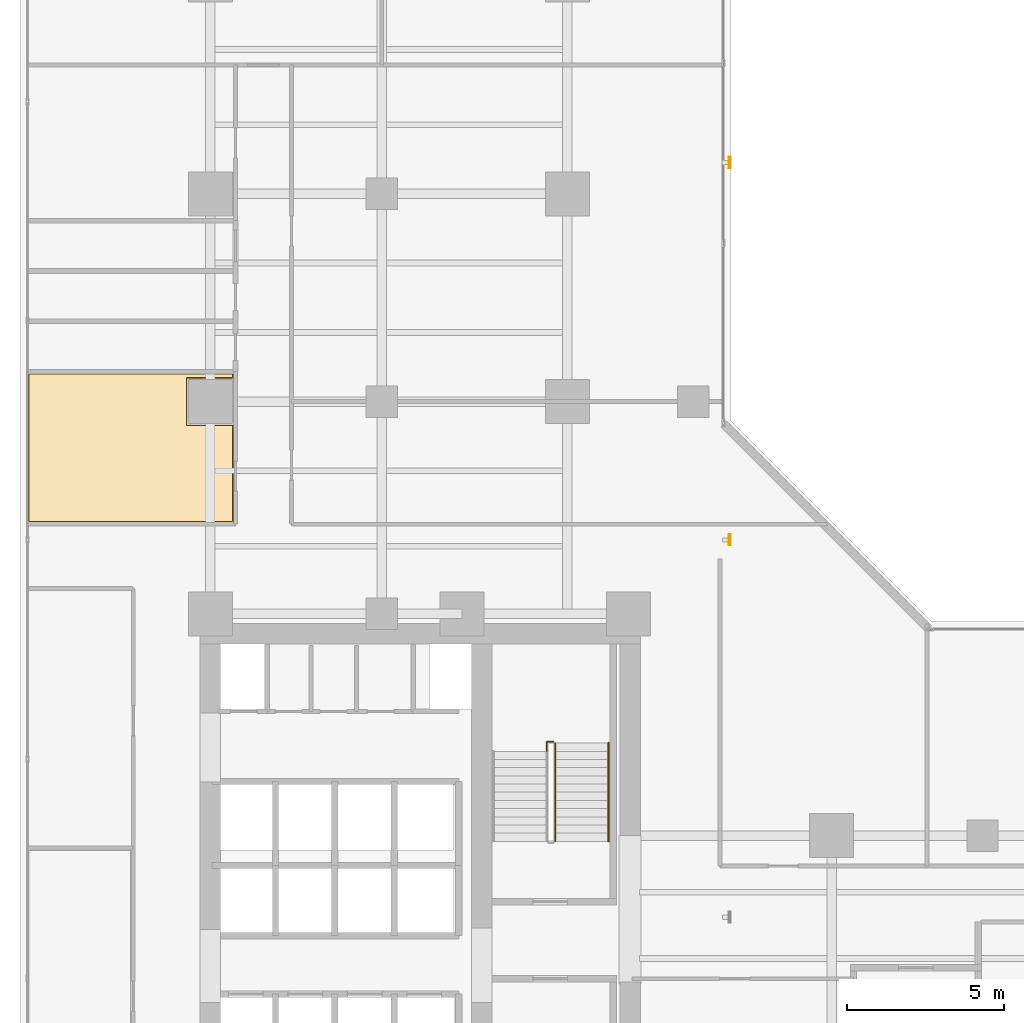
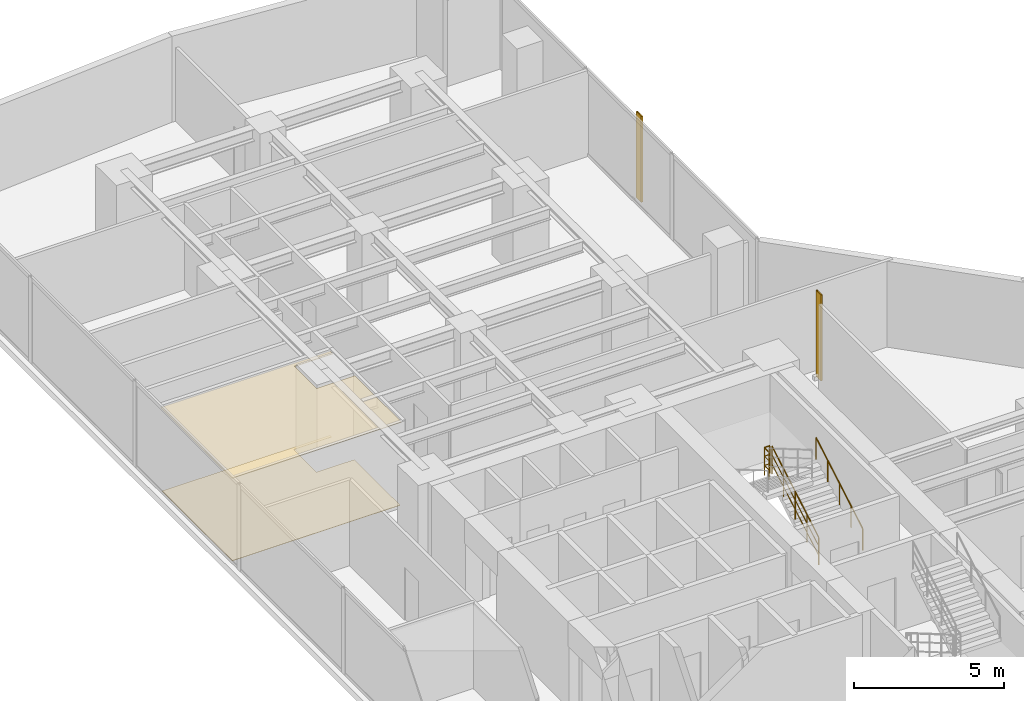
# One storey, part 25 of 25: 3 railings, 2 coverings, 2 shading devices.
"""IFC4 building model written with IfcOpenShell, lengths in metres."""

from ifc_helpers import new_model, si_unit, direction, frame, origin, origin_2d, place, context, subcontext, project, spatial, polyline, hollow_rectangle, circle, outline, extrude, material, layer, layer_set, material_profile, profile_set, type_object, element, save


model = new_model("IFC4")

# Units and contexts
model_context = context("Model", 3, precision=1e-05, world=origin(), true_north=direction((0.0, 1.0)))
body_context = subcontext(model_context, "Body", "Model", "MODEL_VIEW")
ifc_project = project(units=[si_unit("LENGTHUNIT", "METRE"), si_unit("AREAUNIT", "SQUARE_METRE"), si_unit("VOLUMEUNIT", "CUBIC_METRE"), si_unit("PLANEANGLEUNIT", "RADIAN"), si_unit("MASSUNIT", "GRAM", prefix="KILO")], contexts=[model_context])

# Site, building, storey
site_placement = place(None, origin())
site = spatial("IfcSite", under=ifc_project, at=site_placement, CompositionType="ELEMENT")
building_placement = place(site_placement, origin())
building = spatial("IfcBuilding", under=site, at=building_placement, Name="Kolvaren Waterfront Exchange", CompositionType="ELEMENT")
storey_placement = place(building_placement, frame((0.0, 0.0, 106.89990234375)))
storey = spatial("IfcBuildingStorey", under=building, at=storey_placement, Name="L27", CompositionType="ELEMENT", Elevation=106.89990234375)

# Covering
ifc_material_1 = material(Name="Mineral fibre acoustic ceiling tile")
ifc_layer_1 = layer(ifc_material_1, 0.02490234375, Name="Mineral fibre acoustic ceiling tile")
ifc_layer_set_1 = layer_set([ifc_layer_1], Name="Mineral fibre acoustic ceiling tile")
covering_type_1 = type_object("IfcCoveringType", Name="ARC-CEIL-ACOUSTIC-25", PredefinedType="CEILING", material=ifc_layer_set_1)
covering_1_placement = place(storey_placement, frame((0.0, 0.0, 3.385009765625)))
element("IfcCovering", 1, at=covering_1_placement, inside=storey, type_object=covering_type_1, Name="L27 acoustic suspended ceiling 1", PredefinedType="CEILING", context=body_context, shape_type="SweptSolid", body=[
    extrude(outline(polyline([(8.18505859375, 30.4599609375), (6.7099609375, 30.4599609375), (6.7099609375, 31.93994140625), (8.18505859375, 31.93994140625), (8.18505859375, 32.10498046875), (1.64501953125, 32.10498046875), (1.64501953125, 27.344970703125), (8.18505859375, 27.344970703125), (8.18505859375, 30.4599609375)])), origin(), (0.0, 0.0, 1.0), 0.025146484375),
])

# Shading devices
ifc_material_2 = material(Name="Anodised bronze aluminium 6063-T6", Category="aluminium")
ifc_material_profile = material_profile(ifc_material_2, hollow_rectangle(XDim=0.06005859375, YDim=0.35009765625, WallThickness=0.0048828125, at=origin_2d()), Name="BRZ-FIN-350x60x5")
ifc_profile_set = profile_set([ifc_material_profile], Name="Anodised bronze aluminium 6063-T6")
shading_device_type = type_object("IfcShadingDeviceType", Name="ARC-FIN-350", PredefinedType="USERDEFINED", material=ifc_profile_set)
for number, where, z_axis, x_axis, name in (
    (2, (23.9599609375, 26.800048828125, 0.0), (0.0, 0.0, 1.0), (1.0, 0.0, 0.0), "L27 anodised bronze solar shading fin FIN-L27-E2"),
    (3, (23.9599609375, 38.800048828125, 0.0), (0.0, 0.0, 1.0), (1.0, 0.0, 0.0), "L27 anodised bronze solar shading fin FIN-L27-E3"),
):
    element("IfcShadingDevice", number, at=place(storey_placement, frame(where, z_axis=z_axis, x_axis=x_axis)), inside=storey, type_object=shading_device_type, Name=name, ObjectType="SOLAR FIN", PredefinedType="USERDEFINED", context=body_context, shape_type="SweptSolid", body=[
        extrude(hollow_rectangle(XDim=0.06005859375, YDim=0.35009765625, WallThickness=0.0048828125, at=origin_2d()), origin(), (0.0, 0.0, 1.0), 3.5),
    ])

# Covering
ifc_material_3 = material(Name="Slip-resistant porcelain tile")
ifc_layer_2 = layer(ifc_material_3, 0.014892578125, Name="Slip-resistant porcelain tile")
ifc_layer_set_2 = layer_set([ifc_layer_2], Name="Slip-resistant porcelain tile")
covering_type_2 = type_object("IfcCoveringType", Name="ARC-FLR-PORC-15", PredefinedType="FLOORING", material=ifc_layer_set_2)
covering_2_placement = place(storey_placement, origin())
element("IfcCovering", 4, at=covering_2_placement, inside=storey, type_object=covering_type_2, Name="L27 floor finish 1", PredefinedType="FLOORING", context=body_context, shape_type="SweptSolid", body=[
    extrude(outline(polyline([(1.679931640625, 32.070068359375), (1.679931640625, 27.3798828125), (8.14990234375, 27.3798828125), (8.14990234375, 30.43994140625), (6.68994140625, 30.43994140625), (6.68994140625, 31.9599609375), (8.14990234375, 31.9599609375), (8.14990234375, 32.070068359375), (1.679931640625, 32.070068359375)])), origin(), (0.0, 0.0, 1.0), 0.01513671875),
])

# Railings
ifc_material_4 = material(Name="Stainless steel 316", Category="steel")
railing_type_1 = type_object("IfcRailingType", Name="ARC-GUARD-STAIR", PredefinedType="GUARDRAIL", material=ifc_material_4)
railing_1_placement = place(storey_placement, frame((18.409912109375, 17.219970703125, 0.152099609375)))
element("IfcRailing", 5, at=railing_1_placement, inside=storey, type_object=railing_type_1, Name="L27 ST2 stair guard 1", PredefinedType="GUARDRAIL", context=body_context, shape_type="SweptSolid", body=[
    extrude(circle(Radius=0.02392578125, at=origin_2d()), frame((0.0, 0.0, 1.1259765625), z_axis=(0.0, 0.86330811405, 0.504677223793), x_axis=(-1.0, 0.0, 0.0)), (0.0, 0.0, 1.0), 3.6142578125),
    extrude(circle(Radius=0.01611328125, at=origin_2d()), frame((0.0, 0.0, 0.390869140625), z_axis=(0.0, 0.86330811405, 0.504677223793), x_axis=(-1.0, 0.0, 0.0)), (0.0, 0.0, 1.0), 3.6142578125),
    extrude(circle(Radius=0.01611328125, at=origin_2d()), frame((0.0, 0.0, 0.7705078125), z_axis=(0.0, 0.86330811405, 0.504677223793), x_axis=(-1.0, 0.0, 0.0)), (0.0, 0.0, 1.0), 3.6142578125),
    extrude(circle(Radius=0.02099609375, at=origin_2d()), origin(), (0.0, 0.0, 1.0), 1.101806640625),
    extrude(circle(Radius=0.02099609375, at=origin_2d()), frame((0.0, 0.780029296875, 0.4560546875)), (0.0, 0.0, 1.0), 1.101806640625),
    extrude(circle(Radius=0.02099609375, at=origin_2d()), frame((0.0, 1.56005859375, 0.912109375)), (0.0, 0.0, 1.0), 1.101806640625),
    extrude(circle(Radius=0.02099609375, at=origin_2d()), frame((0.0, 2.340087890625, 1.367919921875)), (0.0, 0.0, 1.0), 1.101806640625),
    extrude(circle(Radius=0.02099609375, at=origin_2d()), frame((0.0, 3.1201171875, 1.823974609375)), (0.0, 0.0, 1.0), 1.101806640625),
])
railing_2_placement = place(storey_placement, frame((18.360107421875, 20.389892578125, 1.97607421875)))
element("IfcRailing", 6, at=railing_2_placement, inside=storey, type_object=railing_type_1, Name="L27 ST2 stair guard 2", PredefinedType="GUARDRAIL", context=body_context, shape_type="SweptSolid", body=[
    extrude(circle(Radius=0.02392578125, at=origin_2d()), frame((0.0, 0.0, 1.1259765625), z_axis=(-1.0, 0.0, 0.0), x_axis=(0.0, -1.0, 0.0)), (0.0, 0.0, 1.0), 0.210205078125),
    extrude(circle(Radius=0.01611328125, at=origin_2d()), frame((0.0, 0.0, 0.390869140625), z_axis=(-1.0, 0.0, 0.0), x_axis=(0.0, -1.0, 0.0)), (0.0, 0.0, 1.0), 0.210205078125),
    extrude(circle(Radius=0.01611328125, at=origin_2d()), frame((0.0, 0.0, 0.7705078125), z_axis=(-1.0, 0.0, 0.0), x_axis=(0.0, -1.0, 0.0)), (0.0, 0.0, 1.0), 0.210205078125),
    extrude(circle(Radius=0.02392578125, at=origin_2d()), frame((-0.210205078125, 0.0, 1.1259765625), z_axis=(0.0, -1.0, 0.0), x_axis=(1.0, 0.0, 0.0)), (0.0, 0.0, 1.0), 0.309814453125),
    extrude(circle(Radius=0.01611328125, at=origin_2d()), frame((-0.210205078125, 0.0, 0.390869140625), z_axis=(0.0, -1.0, 0.0), x_axis=(1.0, 0.0, 0.0)), (0.0, 0.0, 1.0), 0.309814453125),
    extrude(circle(Radius=0.01611328125, at=origin_2d()), frame((-0.210205078125, 0.0, 0.7705078125), z_axis=(0.0, -1.0, 0.0), x_axis=(1.0, 0.0, 0.0)), (0.0, 0.0, 1.0), 0.309814453125),
    extrude(circle(Radius=0.02099609375, at=origin_2d()), origin(), (0.0, 0.0, 1.0), 1.101806640625),
    extrude(circle(Radius=0.02099609375, at=origin_2d()), frame((-0.210205078125, 0.0, 0.0)), (0.0, 0.0, 1.0), 1.101806640625),
    extrude(circle(Radius=0.02099609375, at=origin_2d()), frame((-0.210205078125, -0.309814453125, 0.0)), (0.0, 0.0, 1.0), 1.101806640625),
])
railing_type_2 = type_object("IfcRailingType", Name="ARC-HANDRAIL-900", PredefinedType="HANDRAIL", material=ifc_material_4)
railing_3_placement = place(storey_placement, frame((20.110107421875, 17.219970703125, 0.152099609375)))
element("IfcRailing", 7, at=railing_3_placement, inside=storey, type_object=railing_type_2, Name="L27 ST2 stair handrail 1", PredefinedType="HANDRAIL", context=body_context, shape_type="SweptSolid", body=[
    extrude(circle(Radius=0.02392578125, at=origin_2d()), frame((0.0, 0.0, 0.8759765625), z_axis=(0.0, 0.86330811405, 0.504677223793), x_axis=(-1.0, 0.0, 0.0)), (0.0, 0.0, 1.0), 3.6142578125),
    extrude(circle(Radius=0.02099609375, at=origin_2d()), origin(), (0.0, 0.0, 1.0), 0.851806640625),
    extrude(circle(Radius=0.02099609375, at=origin_2d()), frame((0.0, 0.780029296875, 0.4560546875)), (0.0, 0.0, 1.0), 0.851806640625),
    extrude(circle(Radius=0.02099609375, at=origin_2d()), frame((0.0, 1.56005859375, 0.912109375)), (0.0, 0.0, 1.0), 0.851806640625),
    extrude(circle(Radius=0.02099609375, at=origin_2d()), frame((0.0, 2.340087890625, 1.367919921875)), (0.0, 0.0, 1.0), 0.851806640625),
    extrude(circle(Radius=0.02099609375, at=origin_2d()), frame((0.0, 3.1201171875, 1.823974609375)), (0.0, 0.0, 1.0), 0.851806640625),
])

save(model, "model.ifc")
